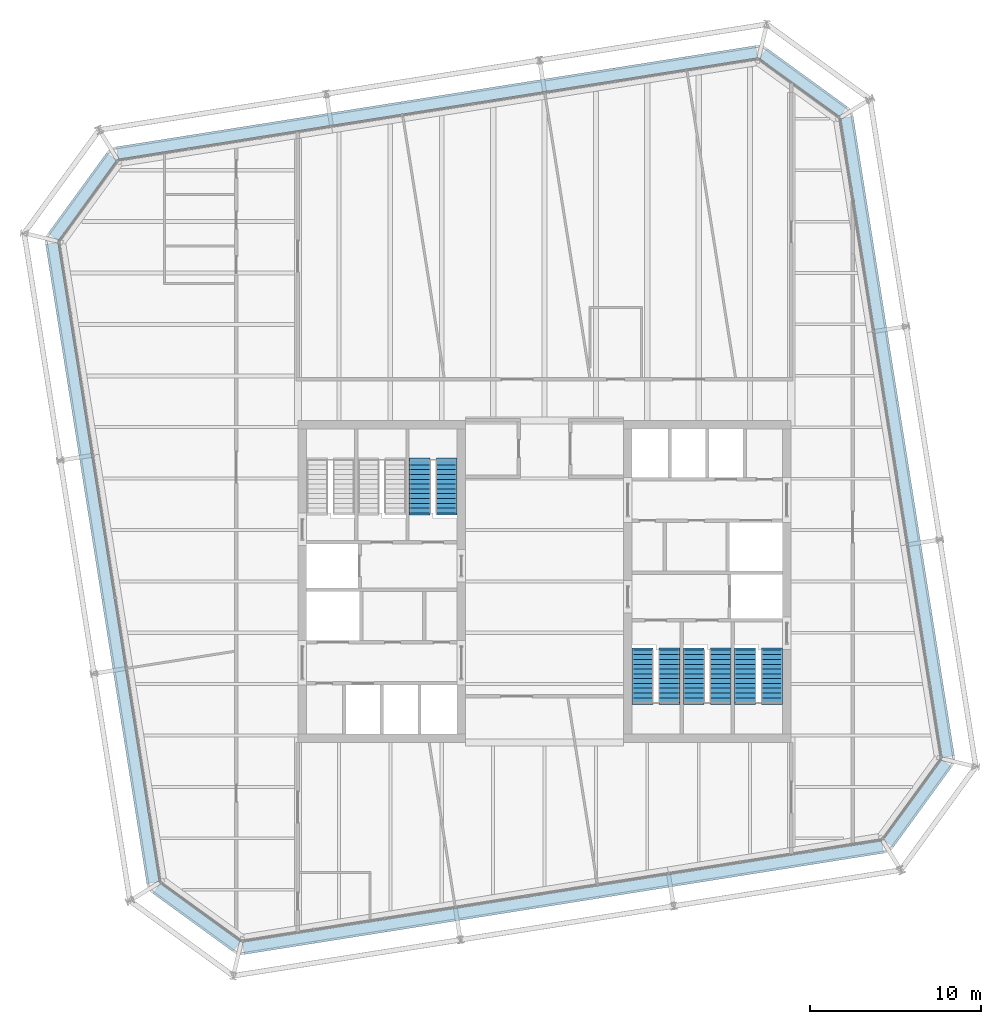
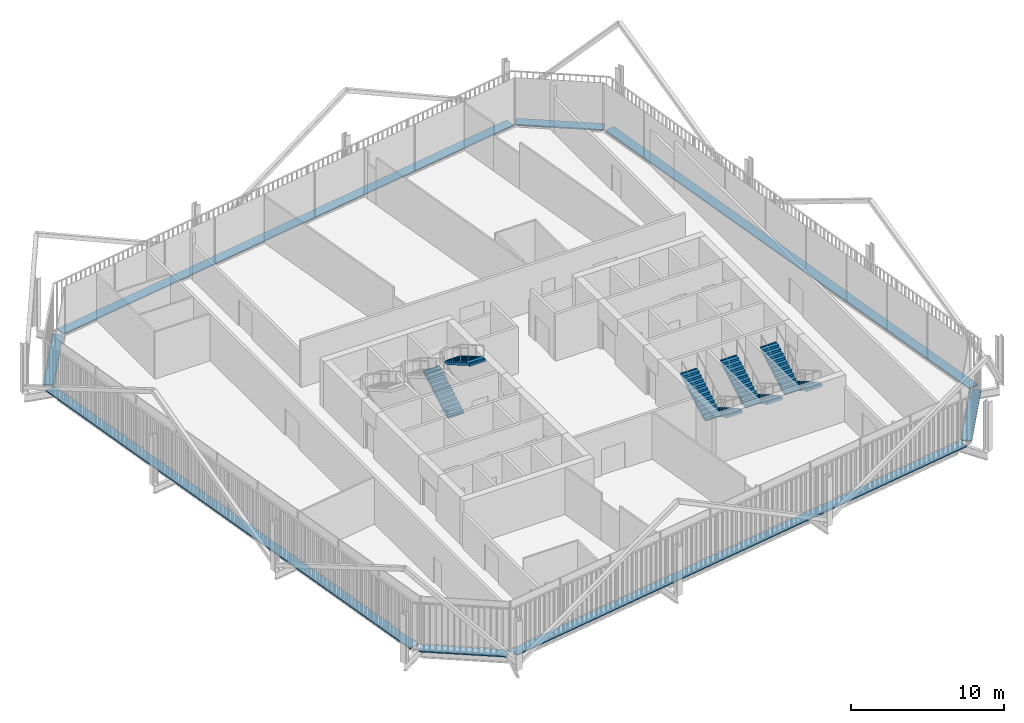
# One storey, part 20 of 21: 8 discrete accessories, 8 stair flights, 4 elements without a shape of their own.
"""IFC4 building model written with IfcOpenShell, lengths in metres."""

from ifc_helpers import new_model, si_unit, direction, frame, origin, origin_2d, place, context, subcontext, project, spatial, polyline, rectangle, outline, extrude, material, type_object, element, aggregate, save


model = new_model("IFC4")

# Units and contexts
model_context = context("Model", 3, precision=1e-05, world=origin(), true_north=direction((0.0, 1.0)))
body_context = subcontext(model_context, "Body", "Model", "MODEL_VIEW")
ifc_project = project(units=[si_unit("LENGTHUNIT", "METRE"), si_unit("AREAUNIT", "SQUARE_METRE"), si_unit("VOLUMEUNIT", "CUBIC_METRE"), si_unit("PLANEANGLEUNIT", "RADIAN"), si_unit("MASSUNIT", "GRAM", prefix="KILO")], contexts=[model_context])

# Site, building, storey
site_placement = place(None, origin())
site = spatial("IfcSite", under=ifc_project, at=site_placement, CompositionType="ELEMENT")
building_placement = place(site_placement, origin())
building = spatial("IfcBuilding", under=site, at=building_placement, Name="Millrace Tower", CompositionType="ELEMENT")
storey_placement = place(building_placement, frame((0.0, 0.0, 247.39990234375)))
storey = spatial("IfcBuildingStorey", under=building, at=storey_placement, Name="L56", CompositionType="ELEMENT", Elevation=247.39990234375)

# Stair, stair flights
ifc_material_1 = material(Name="Concrete C35", Category="concrete")
stair_type = type_object("IfcStairType", Name="Exit stair", PredefinedType="HALF_TURN_STAIR", material=ifc_material_1)
placement = place(storey_placement, origin())
stair_1 = element("IfcStair", 1, at=placement, inside=storey, type_object=stair_type, Name="Stair 3 W L56", PredefinedType="HALF_TURN_STAIR")
ifc_material_2 = material(Name="Concrete C35", Category="concrete")
stair_flight_type = type_object("IfcStairFlightType", Name="Exit stair flight", PredefinedType="STRAIGHT", material=ifc_material_2)
stair_flight_1_placement = place(storey_placement, frame((-7.2900390625, 4.0, 0.0), z_axis=(0.0, 0.0, 1.0), x_axis=(0.0, 1.0, 0.0)))
stair_flight_1 = element("IfcStairFlight", 2, at=stair_flight_1_placement, type_object=stair_flight_type, Name="ST12 flight 1", NumberOfRisers=12, NumberOfTreads=11, PredefinedType="STRAIGHT", RiserHeight=0.1625, TreadLength=0.28, context=body_context, shape_type="SweptSolid", body=[
    extrude(outline(polyline([(-0.1201171875, -0.0400390625), (-0.1201171875, 0.0), (0.0, 0.0), (0.0, 0.16259765625), (0.280029296875, 0.16259765625), (0.280029296875, 0.324951171875), (0.56005859375, 0.324951171875), (0.56005859375, 0.487548828125), (0.840087890625, 0.487548828125), (0.840087890625, 0.64990234375), (1.1201171875, 0.64990234375), (1.1201171875, 0.8125), (1.39990234375, 0.8125), (1.39990234375, 0.97509765625), (1.679931640625, 0.97509765625), (1.679931640625, 1.137451171875), (1.9599609375, 1.137451171875), (1.9599609375, 1.300048828125), (2.239990234375, 1.300048828125), (2.239990234375, 1.46240234375), (2.52001953125, 1.46240234375), (2.52001953125, 1.625), (2.800048828125, 1.625), (2.800048828125, 1.78759765625), (3.080078125, 1.78759765625), (3.080078125, 1.8076171875), (3.199951171875, 1.8076171875), (3.199951171875, 1.6142578125), (3.080078125, 1.6142578125), (0.298583984375, 0.0), (0.298583984375, -0.0400390625), (-0.1201171875, -0.0400390625)])), frame((0.0, 0.60986328125, 0.0), z_axis=(0.0, -1.0, 0.0), x_axis=(1.0, 0.0, 0.0)), (0.0, 0.0, 1.0), 1.219970703125),
])
stair_flight_2_placement = place(storey_placement, frame((-5.7099609375, 7.080078125, 1.9501953125), z_axis=(0.0, 0.0, 1.0), x_axis=(0.0, -1.0, 0.0)))
stair_flight_2 = element("IfcStairFlight", 3, at=stair_flight_2_placement, type_object=stair_flight_type, Name="ST12 flight 2", NumberOfRisers=12, NumberOfTreads=11, PredefinedType="STRAIGHT", RiserHeight=0.1625, TreadLength=0.28, context=body_context, shape_type="SweptSolid", body=[
    extrude(outline(polyline([(-0.1201171875, -0.0400390625), (-0.1201171875, 0.0), (0.0, 0.0), (0.0, 0.16259765625), (0.280029296875, 0.16259765625), (0.280029296875, 0.324951171875), (0.56005859375, 0.324951171875), (0.56005859375, 0.487548828125), (0.840087890625, 0.487548828125), (0.840087890625, 0.64990234375), (1.1201171875, 0.64990234375), (1.1201171875, 0.8125), (1.39990234375, 0.8125), (1.39990234375, 0.97509765625), (1.679931640625, 0.97509765625), (1.679931640625, 1.137451171875), (1.9599609375, 1.137451171875), (1.9599609375, 1.300048828125), (2.239990234375, 1.300048828125), (2.239990234375, 1.46240234375), (2.52001953125, 1.46240234375), (2.52001953125, 1.625), (2.800048828125, 1.625), (2.800048828125, 1.78759765625), (3.080078125, 1.78759765625), (3.080078125, 1.8076171875), (3.199951171875, 1.8076171875), (3.199951171875, 1.6142578125), (3.080078125, 1.6142578125), (0.298583984375, 0.0), (0.298583984375, -0.0400390625), (-0.1201171875, -0.0400390625)])), frame((0.0, 0.60986328125, 0.0), z_axis=(0.0, -1.0, 0.0), x_axis=(1.0, 0.0, 0.0)), (0.0, 0.0, 1.0), 1.219970703125),
])
aggregate(stair_1, [stair_flight_1, stair_flight_2])

stair_2 = element("IfcStair", 4, at=placement, inside=storey, type_object=stair_type, Name="Stair 1 E L56", PredefinedType="HALF_TURN_STAIR")
stair_flight_3_placement = place(storey_placement, frame((13.2900390625, -4.0, 0.0), z_axis=(0.0, 0.0, 1.0), x_axis=(0.0, -1.0, 0.0)))
stair_flight_3 = element("IfcStairFlight", 5, at=stair_flight_3_placement, type_object=stair_flight_type, Name="ST12 flight 1", NumberOfRisers=12, NumberOfTreads=11, PredefinedType="STRAIGHT", RiserHeight=0.1625, TreadLength=0.28, context=body_context, shape_type="SweptSolid", body=[
    extrude(outline(polyline([(-0.1201171875, -0.0400390625), (-0.1201171875, 0.0), (0.0, 0.0), (0.0, 0.16259765625), (0.280029296875, 0.16259765625), (0.280029296875, 0.324951171875), (0.56005859375, 0.324951171875), (0.56005859375, 0.487548828125), (0.840087890625, 0.487548828125), (0.840087890625, 0.64990234375), (1.1201171875, 0.64990234375), (1.1201171875, 0.8125), (1.39990234375, 0.8125), (1.39990234375, 0.97509765625), (1.679931640625, 0.97509765625), (1.679931640625, 1.137451171875), (1.9599609375, 1.137451171875), (1.9599609375, 1.300048828125), (2.239990234375, 1.300048828125), (2.239990234375, 1.46240234375), (2.52001953125, 1.46240234375), (2.52001953125, 1.625), (2.800048828125, 1.625), (2.800048828125, 1.78759765625), (3.080078125, 1.78759765625), (3.080078125, 1.8076171875), (3.199951171875, 1.8076171875), (3.199951171875, 1.6142578125), (3.080078125, 1.6142578125), (0.298583984375, 0.0), (0.298583984375, -0.0400390625), (-0.1201171875, -0.0400390625)])), frame((0.0, 0.60986328125, 0.0), z_axis=(0.0, -1.0, 0.0), x_axis=(1.0, 0.0, 0.0)), (0.0, 0.0, 1.0), 1.219970703125),
])
stair_flight_4_placement = place(storey_placement, frame((11.7099609375, -7.080078125, 1.9501953125), z_axis=(0.0, 0.0, 1.0), x_axis=(0.0, 1.0, 0.0)))
stair_flight_4 = element("IfcStairFlight", 6, at=stair_flight_4_placement, type_object=stair_flight_type, Name="ST12 flight 2", NumberOfRisers=12, NumberOfTreads=11, PredefinedType="STRAIGHT", RiserHeight=0.1625, TreadLength=0.28, context=body_context, shape_type="SweptSolid", body=[
    extrude(outline(polyline([(-0.1201171875, -0.0400390625), (-0.1201171875, 0.0), (0.0, 0.0), (0.0, 0.16259765625), (0.280029296875, 0.16259765625), (0.280029296875, 0.324951171875), (0.56005859375, 0.324951171875), (0.56005859375, 0.487548828125), (0.840087890625, 0.487548828125), (0.840087890625, 0.64990234375), (1.1201171875, 0.64990234375), (1.1201171875, 0.8125), (1.39990234375, 0.8125), (1.39990234375, 0.97509765625), (1.679931640625, 0.97509765625), (1.679931640625, 1.137451171875), (1.9599609375, 1.137451171875), (1.9599609375, 1.300048828125), (2.239990234375, 1.300048828125), (2.239990234375, 1.46240234375), (2.52001953125, 1.46240234375), (2.52001953125, 1.625), (2.800048828125, 1.625), (2.800048828125, 1.78759765625), (3.080078125, 1.78759765625), (3.080078125, 1.8076171875), (3.199951171875, 1.8076171875), (3.199951171875, 1.6142578125), (3.080078125, 1.6142578125), (0.298583984375, 0.0), (0.298583984375, -0.0400390625), (-0.1201171875, -0.0400390625)])), frame((0.0, 0.60986328125, 0.0), z_axis=(0.0, -1.0, 0.0), x_axis=(1.0, 0.0, 0.0)), (0.0, 0.0, 1.0), 1.219970703125),
])
aggregate(stair_2, [stair_flight_3, stair_flight_4])

stair_3 = element("IfcStair", 7, at=placement, inside=storey, type_object=stair_type, Name="Stair 2 E L56", PredefinedType="HALF_TURN_STAIR")
stair_flight_5_placement = place(storey_placement, frame((10.2900390625, -4.0, 0.0), z_axis=(0.0, 0.0, 1.0), x_axis=(0.0, -1.0, 0.0)))
stair_flight_5 = element("IfcStairFlight", 8, at=stair_flight_5_placement, type_object=stair_flight_type, Name="ST12 flight 1", NumberOfRisers=12, NumberOfTreads=11, PredefinedType="STRAIGHT", RiserHeight=0.1625, TreadLength=0.28, context=body_context, shape_type="SweptSolid", body=[
    extrude(outline(polyline([(-0.1201171875, -0.0400390625), (-0.1201171875, 0.0), (0.0, 0.0), (0.0, 0.16259765625), (0.280029296875, 0.16259765625), (0.280029296875, 0.324951171875), (0.56005859375, 0.324951171875), (0.56005859375, 0.487548828125), (0.840087890625, 0.487548828125), (0.840087890625, 0.64990234375), (1.1201171875, 0.64990234375), (1.1201171875, 0.8125), (1.39990234375, 0.8125), (1.39990234375, 0.97509765625), (1.679931640625, 0.97509765625), (1.679931640625, 1.137451171875), (1.9599609375, 1.137451171875), (1.9599609375, 1.300048828125), (2.239990234375, 1.300048828125), (2.239990234375, 1.46240234375), (2.52001953125, 1.46240234375), (2.52001953125, 1.625), (2.800048828125, 1.625), (2.800048828125, 1.78759765625), (3.080078125, 1.78759765625), (3.080078125, 1.8076171875), (3.199951171875, 1.8076171875), (3.199951171875, 1.6142578125), (3.080078125, 1.6142578125), (0.298583984375, 0.0), (0.298583984375, -0.0400390625), (-0.1201171875, -0.0400390625)])), frame((0.0, 0.60986328125, 0.0), z_axis=(0.0, -1.0, 0.0), x_axis=(1.0, 0.0, 0.0)), (0.0, 0.0, 1.0), 1.219970703125),
])
stair_flight_6_placement = place(storey_placement, frame((8.7099609375, -7.080078125, 1.9501953125), z_axis=(0.0, 0.0, 1.0), x_axis=(0.0, 1.0, 0.0)))
stair_flight_6 = element("IfcStairFlight", 9, at=stair_flight_6_placement, type_object=stair_flight_type, Name="ST12 flight 2", NumberOfRisers=12, NumberOfTreads=11, PredefinedType="STRAIGHT", RiserHeight=0.1625, TreadLength=0.28, context=body_context, shape_type="SweptSolid", body=[
    extrude(outline(polyline([(-0.1201171875, -0.0400390625), (-0.1201171875, 0.0), (0.0, 0.0), (0.0, 0.16259765625), (0.280029296875, 0.16259765625), (0.280029296875, 0.324951171875), (0.56005859375, 0.324951171875), (0.56005859375, 0.487548828125), (0.840087890625, 0.487548828125), (0.840087890625, 0.64990234375), (1.1201171875, 0.64990234375), (1.1201171875, 0.8125), (1.39990234375, 0.8125), (1.39990234375, 0.97509765625), (1.679931640625, 0.97509765625), (1.679931640625, 1.137451171875), (1.9599609375, 1.137451171875), (1.9599609375, 1.300048828125), (2.239990234375, 1.300048828125), (2.239990234375, 1.46240234375), (2.52001953125, 1.46240234375), (2.52001953125, 1.625), (2.800048828125, 1.625), (2.800048828125, 1.78759765625), (3.080078125, 1.78759765625), (3.080078125, 1.8076171875), (3.199951171875, 1.8076171875), (3.199951171875, 1.6142578125), (3.080078125, 1.6142578125), (0.298583984375, 0.0), (0.298583984375, -0.0400390625), (-0.1201171875, -0.0400390625)])), frame((0.0, 0.60986328125, 0.0), z_axis=(0.0, -1.0, 0.0), x_axis=(1.0, 0.0, 0.0)), (0.0, 0.0, 1.0), 1.219970703125),
])
aggregate(stair_3, [stair_flight_5, stair_flight_6])

stair_4 = element("IfcStair", 10, at=placement, inside=storey, type_object=stair_type, Name="Stair 3 E L56", PredefinedType="HALF_TURN_STAIR")
stair_flight_7_placement = place(storey_placement, frame((7.2900390625, -4.0, 0.0), z_axis=(0.0, 0.0, 1.0), x_axis=(0.0, -1.0, 0.0)))
stair_flight_7 = element("IfcStairFlight", 11, at=stair_flight_7_placement, type_object=stair_flight_type, Name="ST12 flight 1", NumberOfRisers=12, NumberOfTreads=11, PredefinedType="STRAIGHT", RiserHeight=0.1625, TreadLength=0.28, context=body_context, shape_type="SweptSolid", body=[
    extrude(outline(polyline([(-0.1201171875, -0.0400390625), (-0.1201171875, 0.0), (0.0, 0.0), (0.0, 0.16259765625), (0.280029296875, 0.16259765625), (0.280029296875, 0.324951171875), (0.56005859375, 0.324951171875), (0.56005859375, 0.487548828125), (0.840087890625, 0.487548828125), (0.840087890625, 0.64990234375), (1.1201171875, 0.64990234375), (1.1201171875, 0.8125), (1.39990234375, 0.8125), (1.39990234375, 0.97509765625), (1.679931640625, 0.97509765625), (1.679931640625, 1.137451171875), (1.9599609375, 1.137451171875), (1.9599609375, 1.300048828125), (2.239990234375, 1.300048828125), (2.239990234375, 1.46240234375), (2.52001953125, 1.46240234375), (2.52001953125, 1.625), (2.800048828125, 1.625), (2.800048828125, 1.78759765625), (3.080078125, 1.78759765625), (3.080078125, 1.8076171875), (3.199951171875, 1.8076171875), (3.199951171875, 1.6142578125), (3.080078125, 1.6142578125), (0.298583984375, 0.0), (0.298583984375, -0.0400390625), (-0.1201171875, -0.0400390625)])), frame((0.0, 0.60986328125, 0.0), z_axis=(0.0, -1.0, 0.0), x_axis=(1.0, 0.0, 0.0)), (0.0, 0.0, 1.0), 1.219970703125),
])
stair_flight_8_placement = place(storey_placement, frame((5.7099609375, -7.080078125, 1.9501953125), z_axis=(0.0, 0.0, 1.0), x_axis=(0.0, 1.0, 0.0)))
stair_flight_8 = element("IfcStairFlight", 12, at=stair_flight_8_placement, type_object=stair_flight_type, Name="ST12 flight 2", NumberOfRisers=12, NumberOfTreads=11, PredefinedType="STRAIGHT", RiserHeight=0.1625, TreadLength=0.28, context=body_context, shape_type="SweptSolid", body=[
    extrude(outline(polyline([(-0.1201171875, -0.0400390625), (-0.1201171875, 0.0), (0.0, 0.0), (0.0, 0.16259765625), (0.280029296875, 0.16259765625), (0.280029296875, 0.324951171875), (0.56005859375, 0.324951171875), (0.56005859375, 0.487548828125), (0.840087890625, 0.487548828125), (0.840087890625, 0.64990234375), (1.1201171875, 0.64990234375), (1.1201171875, 0.8125), (1.39990234375, 0.8125), (1.39990234375, 0.97509765625), (1.679931640625, 0.97509765625), (1.679931640625, 1.137451171875), (1.9599609375, 1.137451171875), (1.9599609375, 1.300048828125), (2.239990234375, 1.300048828125), (2.239990234375, 1.46240234375), (2.52001953125, 1.46240234375), (2.52001953125, 1.625), (2.800048828125, 1.625), (2.800048828125, 1.78759765625), (3.080078125, 1.78759765625), (3.080078125, 1.8076171875), (3.199951171875, 1.8076171875), (3.199951171875, 1.6142578125), (3.080078125, 1.6142578125), (0.298583984375, 0.0), (0.298583984375, -0.0400390625), (-0.1201171875, -0.0400390625)])), frame((0.0, 0.60986328125, 0.0), z_axis=(0.0, -1.0, 0.0), x_axis=(1.0, 0.0, 0.0)), (0.0, 0.0, 1.0), 1.219970703125),
])
aggregate(stair_4, [stair_flight_7, stair_flight_8])

# Discrete accessories
ifc_material_3 = material(Name="Stainless steel ASTM A240 type 316", Category="steel")
discrete_accessory_type = type_object("IfcDiscreteAccessoryType", Name="Thermally broken screen support rail", PredefinedType="BRACKET", material=ifc_material_3)
discrete_accessory_1_placement = place(storey_placement, frame((-20.314453125, -19.632080078125, 0.0), z_axis=(0.0, 0.0, 1.0), x_axis=(0.809016955361, -0.587785305991, 0.0)))
element("IfcDiscreteAccessory", 13, at=discrete_accessory_1_placement, inside=storey, type_object=discrete_accessory_type, Name="Thermally broken screen support rail D-F01 L56 1", PredefinedType="BRACKET", context=body_context, shape_type="SweptSolid", body=[
    extrude(rectangle(XDim=5.79833984375, YDim=0.719970703125, at=origin_2d()), origin(), (0.0, 0.0, 1.0), 0.10009765625),
])
discrete_accessory_2_placement = place(storey_placement, frame((1.077880859375, -18.470458984375, 0.0), z_axis=(0.0, 0.0, 1.0), x_axis=(0.987688339511, 0.156434471884, 0.0)))
element("IfcDiscreteAccessory", 14, at=discrete_accessory_2_placement, inside=storey, type_object=discrete_accessory_type, Name="Thermally broken screen support rail D-F02 L56 1", PredefinedType="BRACKET", context=body_context, shape_type="SweptSolid", body=[
    extrude(rectangle(XDim=37.800048828125, YDim=0.719970703125, at=origin_2d()), origin(), (0.0, 0.0, 1.0), 0.10009765625),
])
discrete_accessory_3_placement = place(storey_placement, frame((21.781982421875, -12.964599609375, 0.0), z_axis=(0.0, 0.0, 1.0), x_axis=(0.587785305991, 0.809016955361, 0.0)))
element("IfcDiscreteAccessory", 15, at=discrete_accessory_3_placement, inside=storey, type_object=discrete_accessory_type, Name="Thermally broken screen support rail D-F03 L56 1", PredefinedType="BRACKET", context=body_context, shape_type="SweptSolid", body=[
    extrude(rectangle(XDim=5.79833984375, YDim=0.719970703125, at=origin_2d()), origin(), (0.0, 0.0, 1.0), 0.10009765625),
])
discrete_accessory_4_placement = place(storey_placement, frame((20.62060546875, 8.427734375, 0.0), z_axis=(0.0, 0.0, 1.0), x_axis=(-0.156434471884, 0.987688339511, 0.0)))
element("IfcDiscreteAccessory", 16, at=discrete_accessory_4_placement, inside=storey, type_object=discrete_accessory_type, Name="Thermally broken screen support rail D-F04 L56 1", PredefinedType="BRACKET", context=body_context, shape_type="SweptSolid", body=[
    extrude(rectangle(XDim=37.800048828125, YDim=0.719970703125, at=origin_2d()), origin(), (0.0, 0.0, 1.0), 0.10009765625),
])
discrete_accessory_5_placement = place(storey_placement, frame((15.114501953125, 29.132080078125, 0.0), z_axis=(0.0, 0.0, 1.0), x_axis=(-0.809016955361, 0.587785305991, 0.0)))
element("IfcDiscreteAccessory", 17, at=discrete_accessory_5_placement, inside=storey, type_object=discrete_accessory_type, Name="Thermally broken screen support rail D-F05 L56 1", PredefinedType="BRACKET", context=body_context, shape_type="SweptSolid", body=[
    extrude(rectangle(XDim=5.79833984375, YDim=0.719970703125, at=origin_2d()), origin(), (0.0, 0.0, 1.0), 0.10009765625),
])
discrete_accessory_6_placement = place(storey_placement, frame((-6.27783203125, 27.970458984375, 0.0), z_axis=(0.0, 0.0, 1.0), x_axis=(-0.987688339511, -0.156434471884, 0.0)))
element("IfcDiscreteAccessory", 18, at=discrete_accessory_6_placement, inside=storey, type_object=discrete_accessory_type, Name="Thermally broken screen support rail D-F06 L56 1", PredefinedType="BRACKET", context=body_context, shape_type="SweptSolid", body=[
    extrude(rectangle(XDim=37.800048828125, YDim=0.719970703125, at=origin_2d()), origin(), (0.0, 0.0, 1.0), 0.10009765625),
])
discrete_accessory_7_placement = place(storey_placement, frame((-26.98193359375, 22.464599609375, 0.0), z_axis=(0.0, 0.0, 1.0), x_axis=(-0.587785305991, -0.809016955361, 0.0)))
element("IfcDiscreteAccessory", 19, at=discrete_accessory_7_placement, inside=storey, type_object=discrete_accessory_type, Name="Thermally broken screen support rail D-F07 L56 1", PredefinedType="BRACKET", context=body_context, shape_type="SweptSolid", body=[
    extrude(rectangle(XDim=5.79833984375, YDim=0.719970703125, at=origin_2d()), origin(), (0.0, 0.0, 1.0), 0.10009765625),
])
discrete_accessory_8_placement = place(storey_placement, frame((-25.820556640625, 1.072265625, 0.0), z_axis=(0.0, 0.0, 1.0), x_axis=(0.156434471884, -0.987688339511, 0.0)))
element("IfcDiscreteAccessory", 20, at=discrete_accessory_8_placement, inside=storey, type_object=discrete_accessory_type, Name="Thermally broken screen support rail D-F08 L56 1", PredefinedType="BRACKET", context=body_context, shape_type="SweptSolid", body=[
    extrude(rectangle(XDim=37.800048828125, YDim=0.719970703125, at=origin_2d()), origin(), (0.0, 0.0, 1.0), 0.10009765625),
])

save(model, "model.ifc")
